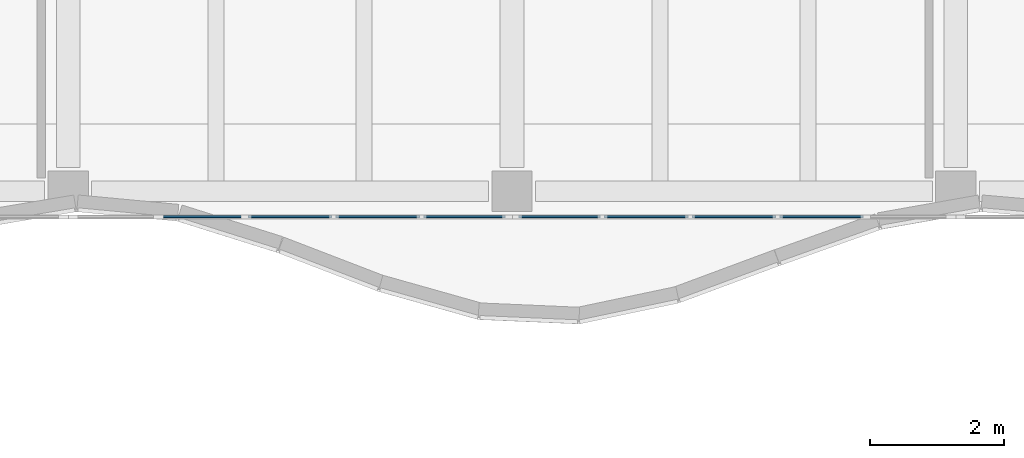
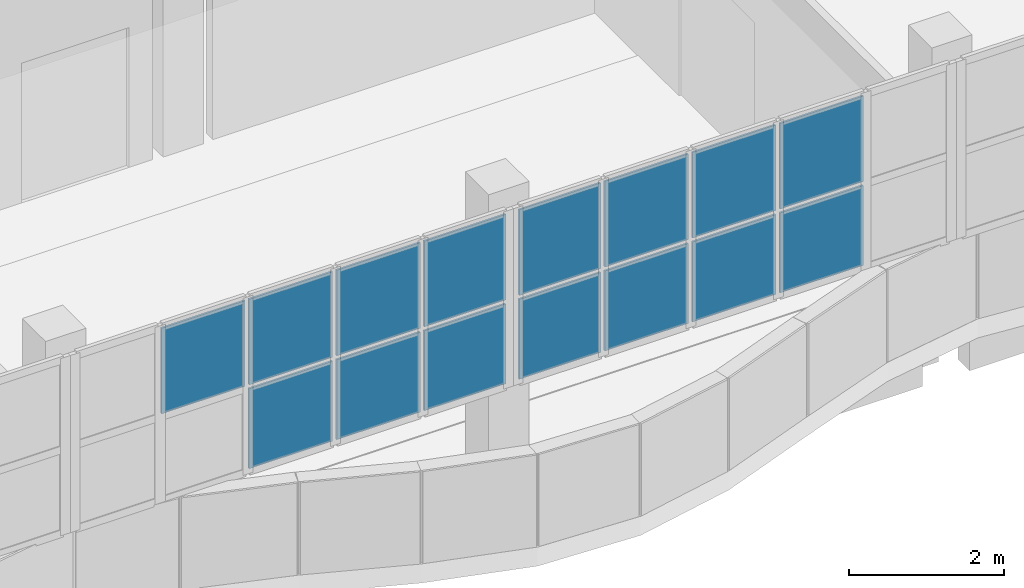
# One storey, part 34 of 76: 15 plates, 2 elements without a shape of their own.
"""IFC4 building model written with IfcOpenShell, lengths in metres."""

from ifc_helpers import new_model, si_unit, direction, frame, origin, origin_2d, place, context, subcontext, project, spatial, rectangle, extrude, material, layer, layer_set, type_object, element, aggregate, save


model = new_model("IFC4")

# Units and contexts
model_context = context("Model", 3, precision=1e-05, world=origin(), true_north=direction((0.0, 1.0)))
body_context = subcontext(model_context, "Body", "Model", "MODEL_VIEW")
ifc_project = project(units=[si_unit("LENGTHUNIT", "METRE"), si_unit("AREAUNIT", "SQUARE_METRE"), si_unit("VOLUMEUNIT", "CUBIC_METRE"), si_unit("PLANEANGLEUNIT", "RADIAN"), si_unit("MASSUNIT", "GRAM", prefix="KILO")], contexts=[model_context])

# Site, building, storey
site_placement = place(None, origin())
site = spatial("IfcSite", under=ifc_project, at=site_placement, CompositionType="ELEMENT")
building_placement = place(site_placement, origin())
building = spatial("IfcBuilding", under=site, at=building_placement, Name="Qaldarim Faculty of Natural and Applied Sciences", CompositionType="ELEMENT")
storey_placement = place(building_placement, frame((0.0, 0.0, 9.89990234375)))
storey = spatial("IfcBuildingStorey", under=building, at=storey_placement, Name="L02", CompositionType="ELEMENT", Elevation=9.89990234375)

# Curtain wall, plates
ifc_material_1 = material(Name="Anodised aluminium AW-6063", Category="aluminium")
curtain_wall_type = type_object("IfcCurtainWallType", Name="CurtainWallSystem-M1400", PredefinedType="USERDEFINED", material=ifc_material_1)
curtain_wall_1_placement = place(storey_placement, origin())
curtain_wall_1 = element("IfcCurtainWall", 1, at=curtain_wall_1_placement, inside=storey, type_object=curtain_wall_type, Name="Curtain wall CW-V4RIB-L02-X13", ObjectType="STICK CURTAIN WALL", PredefinedType="USERDEFINED")
ifc_material_2 = material(Name="Insulated low-e double glazing", Category="glass")
ifc_layer = layer(ifc_material_2, 0.028076171875)
ifc_layer_set = layer_set([ifc_layer], Name="Insulated low-e double glazing")
plate_type = type_object("IfcPlateType", Name="VisionGlazingPanel-28", PredefinedType="CURTAIN_PANEL", material=ifc_layer_set)
plate_1_placement = place(storey_placement, frame((81.196044921875, 100.419921875, 2.830078125), z_axis=(0.0, 0.0, 1.0), x_axis=(1.0, 0.0, 0.0)))
plate_1 = element("IfcPlate", 2, at=plate_1_placement, type_object=plate_type, Name="Glazed panel 2-2 of CW-V4RIB-L02-X13", PredefinedType="CURTAIN_PANEL", context=body_context, shape_type="SweptSolid", body=[
    extrude(rectangle(XDim=1.243896484375, YDim=0.028076171875, at=origin_2d()), origin(), (0.0, 0.0, 1.0), 1.35009765625),
])
plate_2_placement = place(storey_placement, frame((82.5, 100.419921875, 1.51025390625), z_axis=(0.0, 0.0, 1.0), x_axis=(1.0, 0.0, 0.0)))
plate_2 = element("IfcPlate", 3, at=plate_2_placement, type_object=plate_type, Name="Glazed panel 3-1 of CW-V4RIB-L02-X13", PredefinedType="CURTAIN_PANEL", context=body_context, shape_type="SweptSolid", body=[
    extrude(rectangle(XDim=1.243896484375, YDim=0.028076171875, at=origin_2d()), origin(), (0.0, 0.0, 1.0), 1.260009765625),
])
plate_3_placement = place(storey_placement, frame((82.5, 100.419921875, 2.830078125), z_axis=(0.0, 0.0, 1.0), x_axis=(1.0, 0.0, 0.0)))
plate_3 = element("IfcPlate", 4, at=plate_3_placement, type_object=plate_type, Name="Glazed panel 3-2 of CW-V4RIB-L02-X13", PredefinedType="CURTAIN_PANEL", context=body_context, shape_type="SweptSolid", body=[
    extrude(rectangle(XDim=1.243896484375, YDim=0.028076171875, at=origin_2d()), origin(), (0.0, 0.0, 1.0), 1.35009765625),
])
plate_4_placement = place(storey_placement, frame((83.803955078125, 100.419921875, 1.51025390625), z_axis=(0.0, 0.0, 1.0), x_axis=(1.0, 0.0, 0.0)))
plate_4 = element("IfcPlate", 5, at=plate_4_placement, type_object=plate_type, Name="Glazed panel 4-1 of CW-V4RIB-L02-X13", PredefinedType="CURTAIN_PANEL", context=body_context, shape_type="SweptSolid", body=[
    extrude(rectangle(XDim=1.243896484375, YDim=0.028076171875, at=origin_2d()), origin(), (0.0, 0.0, 1.0), 1.260009765625),
])
plate_5_placement = place(storey_placement, frame((83.803955078125, 100.419921875, 2.830078125), z_axis=(0.0, 0.0, 1.0), x_axis=(1.0, 0.0, 0.0)))
plate_5 = element("IfcPlate", 6, at=plate_5_placement, type_object=plate_type, Name="Glazed panel 4-2 of CW-V4RIB-L02-X13", PredefinedType="CURTAIN_PANEL", context=body_context, shape_type="SweptSolid", body=[
    extrude(rectangle(XDim=1.243896484375, YDim=0.028076171875, at=origin_2d()), origin(), (0.0, 0.0, 1.0), 1.35009765625),
])
plate_6_placement = place(storey_placement, frame((85.093017578125, 100.419921875, 1.51025390625), z_axis=(0.0, 0.0, 1.0), x_axis=(1.0, 0.0, 0.0)))
plate_6 = element("IfcPlate", 7, at=plate_6_placement, type_object=plate_type, Name="Glazed panel 5-1 of CW-V4RIB-L02-X13", PredefinedType="CURTAIN_PANEL", context=body_context, shape_type="SweptSolid", body=[
    extrude(rectangle(XDim=1.214111328125, YDim=0.028076171875, at=origin_2d()), origin(), (0.0, 0.0, 1.0), 1.260009765625),
])
plate_7_placement = place(storey_placement, frame((85.093017578125, 100.419921875, 2.830078125), z_axis=(0.0, 0.0, 1.0), x_axis=(1.0, 0.0, 0.0)))
plate_7 = element("IfcPlate", 8, at=plate_7_placement, type_object=plate_type, Name="Glazed panel 5-2 of CW-V4RIB-L02-X13", PredefinedType="CURTAIN_PANEL", context=body_context, shape_type="SweptSolid", body=[
    extrude(rectangle(XDim=1.214111328125, YDim=0.028076171875, at=origin_2d()), origin(), (0.0, 0.0, 1.0), 1.35009765625),
])
aggregate(curtain_wall_1, [plate_1, plate_2, plate_3, plate_4, plate_5, plate_6, plate_7])

curtain_wall_2_placement = place(storey_placement, origin())
curtain_wall_2 = element("IfcCurtainWall", 9, at=curtain_wall_2_placement, inside=storey, type_object=curtain_wall_type, Name="Curtain wall CW-V4RIB-L02-X14", ObjectType="STICK CURTAIN WALL", PredefinedType="USERDEFINED")
plate_8_placement = place(storey_placement, frame((86.507080078125, 100.419921875, 1.51025390625), z_axis=(0.0, 0.0, 1.0), x_axis=(1.0, 0.0, 0.0)))
plate_8 = element("IfcPlate", 10, at=plate_8_placement, type_object=plate_type, Name="Glazed panel 1-1 of CW-V4RIB-L02-X14", PredefinedType="CURTAIN_PANEL", context=body_context, shape_type="SweptSolid", body=[
    extrude(rectangle(XDim=1.214111328125, YDim=0.028076171875, at=origin_2d()), origin(), (0.0, 0.0, 1.0), 1.260009765625),
])
plate_9_placement = place(storey_placement, frame((86.507080078125, 100.419921875, 2.830078125), z_axis=(0.0, 0.0, 1.0), x_axis=(1.0, 0.0, 0.0)))
plate_9 = element("IfcPlate", 11, at=plate_9_placement, type_object=plate_type, Name="Glazed panel 1-2 of CW-V4RIB-L02-X14", PredefinedType="CURTAIN_PANEL", context=body_context, shape_type="SweptSolid", body=[
    extrude(rectangle(XDim=1.214111328125, YDim=0.028076171875, at=origin_2d()), origin(), (0.0, 0.0, 1.0), 1.35009765625),
])
plate_10_placement = place(storey_placement, frame((87.7958984375, 100.419921875, 1.51025390625), z_axis=(0.0, 0.0, 1.0), x_axis=(1.0, 0.0, 0.0)))
plate_10 = element("IfcPlate", 12, at=plate_10_placement, type_object=plate_type, Name="Glazed panel 2-1 of CW-V4RIB-L02-X14", PredefinedType="CURTAIN_PANEL", context=body_context, shape_type="SweptSolid", body=[
    extrude(rectangle(XDim=1.243896484375, YDim=0.028076171875, at=origin_2d()), origin(), (0.0, 0.0, 1.0), 1.260009765625),
])
plate_11_placement = place(storey_placement, frame((87.7958984375, 100.419921875, 2.830078125), z_axis=(0.0, 0.0, 1.0), x_axis=(1.0, 0.0, 0.0)))
plate_11 = element("IfcPlate", 13, at=plate_11_placement, type_object=plate_type, Name="Glazed panel 2-2 of CW-V4RIB-L02-X14", PredefinedType="CURTAIN_PANEL", context=body_context, shape_type="SweptSolid", body=[
    extrude(rectangle(XDim=1.243896484375, YDim=0.028076171875, at=origin_2d()), origin(), (0.0, 0.0, 1.0), 1.35009765625),
])
plate_12_placement = place(storey_placement, frame((89.10009765625, 100.419921875, 1.51025390625), z_axis=(0.0, 0.0, 1.0), x_axis=(1.0, 0.0, 0.0)))
plate_12 = element("IfcPlate", 14, at=plate_12_placement, type_object=plate_type, Name="Glazed panel 3-1 of CW-V4RIB-L02-X14", PredefinedType="CURTAIN_PANEL", context=body_context, shape_type="SweptSolid", body=[
    extrude(rectangle(XDim=1.243896484375, YDim=0.028076171875, at=origin_2d()), origin(), (0.0, 0.0, 1.0), 1.260009765625),
])
plate_13_placement = place(storey_placement, frame((89.10009765625, 100.419921875, 2.830078125), z_axis=(0.0, 0.0, 1.0), x_axis=(1.0, 0.0, 0.0)))
plate_13 = element("IfcPlate", 15, at=plate_13_placement, type_object=plate_type, Name="Glazed panel 3-2 of CW-V4RIB-L02-X14", PredefinedType="CURTAIN_PANEL", context=body_context, shape_type="SweptSolid", body=[
    extrude(rectangle(XDim=1.243896484375, YDim=0.028076171875, at=origin_2d()), origin(), (0.0, 0.0, 1.0), 1.35009765625),
])
plate_14_placement = place(storey_placement, frame((90.404052734375, 100.419921875, 1.51025390625), z_axis=(0.0, 0.0, 1.0), x_axis=(1.0, 0.0, 0.0)))
plate_14 = element("IfcPlate", 16, at=plate_14_placement, type_object=plate_type, Name="Glazed panel 4-1 of CW-V4RIB-L02-X14", PredefinedType="CURTAIN_PANEL", context=body_context, shape_type="SweptSolid", body=[
    extrude(rectangle(XDim=1.243896484375, YDim=0.028076171875, at=origin_2d()), origin(), (0.0, 0.0, 1.0), 1.260009765625),
])
plate_15_placement = place(storey_placement, frame((90.404052734375, 100.419921875, 2.830078125), z_axis=(0.0, 0.0, 1.0), x_axis=(1.0, 0.0, 0.0)))
plate_15 = element("IfcPlate", 17, at=plate_15_placement, type_object=plate_type, Name="Glazed panel 4-2 of CW-V4RIB-L02-X14", PredefinedType="CURTAIN_PANEL", context=body_context, shape_type="SweptSolid", body=[
    extrude(rectangle(XDim=1.243896484375, YDim=0.028076171875, at=origin_2d()), origin(), (0.0, 0.0, 1.0), 1.35009765625),
])
aggregate(curtain_wall_2, [plate_8, plate_9, plate_10, plate_11, plate_12, plate_13, plate_14, plate_15])

save(model, "model.ifc")
